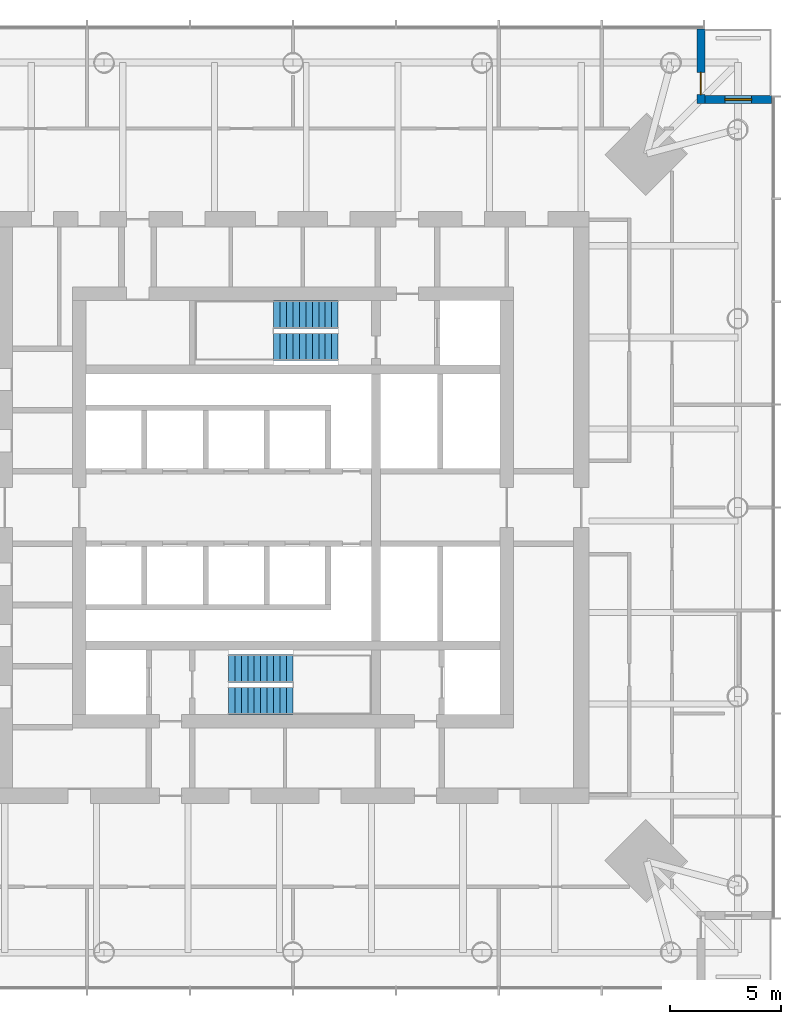
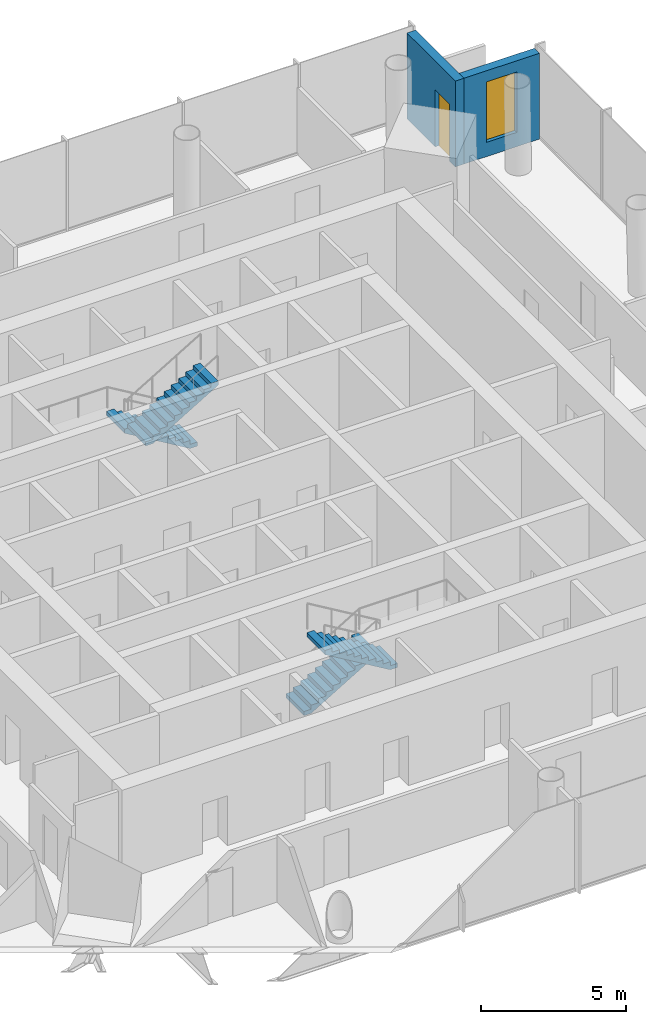
# One storey, part 8 of 9: 4 stair flights, 2 walls, 1 door, 1 window, 2 openings, 2 elements without a shape of their own.
"""IFC4 building model written with IfcOpenShell, lengths in metres."""

from ifc_helpers import new_model, si_unit, direction, frame, frame_2d, origin, place, context, subcontext, project, spatial, polyline, rectangle, outline, extrude, material, layer, layer_set, type_object, element, fill, aggregate, save


model = new_model("IFC4")

# Units and contexts
model_context = context("Model", 3, precision=1e-05, world=origin(), true_north=direction((0.0, 1.0)))
body_context = subcontext(model_context, "Body", "Model", "MODEL_VIEW")
ifc_project = project(units=[si_unit("LENGTHUNIT", "METRE"), si_unit("AREAUNIT", "SQUARE_METRE"), si_unit("VOLUMEUNIT", "CUBIC_METRE"), si_unit("PLANEANGLEUNIT", "RADIAN"), si_unit("MASSUNIT", "GRAM", prefix="KILO")], contexts=[model_context])

# Site, building, storey
site_placement = place(None, origin())
site = spatial("IfcSite", under=ifc_project, at=site_placement, CompositionType="ELEMENT")
building_placement = place(site_placement, origin())
building = spatial("IfcBuilding", under=site, at=building_placement, Name="Ostroluk Exchange", CompositionType="ELEMENT")
storey_placement = place(building_placement, frame((0.0, 0.0, 146.39990234375)))
storey = spatial("IfcBuildingStorey", under=building, at=storey_placement, Name="L37", CompositionType="ELEMENT", Elevation=146.39990234375)

# Wall, opening, door
ifc_material_1 = material(Name="Limestone", Category="masonry")
ifc_layer = layer(ifc_material_1, 0.35009765625)
ifc_layer_set = layer_set([ifc_layer], Name="Limestone facade wall 350")
wall_type = type_object("IfcWallType", Name="Limestone facade wall 350", PredefinedType="SOLIDWALL", material=ifc_layer_set)
wall_1_placement = place(storey_placement, frame((63.324951171875, 67.5, 0.0), z_axis=(0.0, 0.0, 1.0), x_axis=(0.0, -1.0, 0.0)))
wall_1 = element("IfcWall", 1, at=wall_1_placement, inside=storey, type_object=wall_type, Name="Office tower NE corner wall L37 a", PredefinedType="SOLIDWALL", context=body_context, shape_type="SweptSolid", body=[
    extrude(rectangle(XDim=3.35009765625, YDim=0.35009765625, at=frame_2d((1.675048828125, 0.0))), origin(), (0.0, 0.0, 1.0), 3.6201171875),
])
opening_1_placement = place(wall_1_placement, frame((1.949951171875, 0.0, 0.0)))
opening_1 = element("IfcOpeningElement", 2, at=opening_1_placement, cuts=wall_1, Name="Opening D-B1", PredefinedType="OPENING", context=body_context, shape_type="SweptSolid", body=[
    extrude(rectangle(XDim=1.0, YDim=2.39990234375, at=frame_2d((0.5, 1.199951171875))), frame((0.0, 0.18505859375, 0.0), z_axis=(0.0, -1.0, 0.0), x_axis=(1.0, 0.0, 0.0)), (0.0, 0.0, 1.0), 0.3701171875),
])
ifc_material_2 = material(Name="Bronze framed glazed door", Category="aluminium")
door_type = type_object("IfcDoorType", Name="Balcony door 1000 x 2400", OperationType="SINGLE_SWING_LEFT", PredefinedType="DOOR", material=ifc_material_2)
door_placement = place(opening_1_placement, origin())
door = element("IfcDoor", 3, at=door_placement, inside=storey, type_object=door_type, Name="Office tower NE balcony door L37", OperationType="SINGLE_SWING_RIGHT", OverallHeight=2.39990234375, OverallWidth=1.0, PredefinedType="DOOR", context=body_context, shape_type="SweptSolid", body=[
    extrude(rectangle(XDim=1.0, YDim=2.39990234375, at=frame_2d((0.5, 1.199951171875))), frame((0.0, 0.02490234375, 0.0), z_axis=(0.0, -1.0, 0.0), x_axis=(1.0, 0.0, 0.0)), (0.0, 0.0, 1.0), 0.050048828125),
])
fill(opening_1, door)

# Wall, opening, window
wall_2_placement = place(storey_placement, frame((63.5, 64.324951171875, 0.0), z_axis=(0.0, 0.0, 1.0), x_axis=(1.0, 0.0, 0.0)))
wall_2 = element("IfcWall", 4, at=wall_2_placement, inside=storey, type_object=wall_type, Name="Office tower NE corner wall L37 b", PredefinedType="SOLIDWALL", context=body_context, shape_type="SweptSolid", body=[
    extrude(rectangle(XDim=3.0, YDim=0.35009765625, at=frame_2d((1.5, 0.0))), origin(), (0.0, 0.0, 1.0), 3.6201171875),
])
opening_2_placement = place(wall_2_placement, frame((0.89990234375, 0.0, 0.60009765625)))
opening_2 = element("IfcOpeningElement", 5, at=opening_2_placement, cuts=wall_2, Name="Opening WN-L1", PredefinedType="OPENING", context=body_context, shape_type="SweptSolid", body=[
    extrude(rectangle(XDim=1.199951171875, YDim=2.550048828125, at=frame_2d((0.60009765625, 1.27490234375))), frame((0.0, 0.18505859375, 0.0), z_axis=(0.0, -1.0, 0.0), x_axis=(1.0, 0.0, 0.0)), (0.0, 0.0, 1.0), 0.3701171875),
])
ifc_material_3 = material(Name="Laminated clear glass", Category="glass")
window_type = type_object("IfcWindowType", Name="Lancet window 1200 x 2550", PartitioningType="SINGLE_PANEL", PredefinedType="WINDOW", material=ifc_material_3)
window_placement = place(opening_2_placement, origin())
window = element("IfcWindow", 6, at=window_placement, inside=storey, type_object=window_type, Name="Office tower NE lancet window L37", OverallHeight=2.550048828125, OverallWidth=1.199951171875, PartitioningType="SINGLE_PANEL", PredefinedType="WINDOW", context=body_context, shape_type="SweptSolid", body=[
    extrude(rectangle(XDim=1.199951171875, YDim=2.550048828125, at=frame_2d((0.60009765625, 1.27490234375))), frame((0.0, 0.030029296875, 0.0), z_axis=(0.0, -1.0, 0.0), x_axis=(1.0, 0.0, 0.0)), (0.0, 0.0, 1.0), 0.06005859375),
])
fill(opening_2, window)

# Stair, stair flights
ifc_material_4 = material(Name="Concrete C30/37", Category="concrete")
stair_type = type_object("IfcStairType", Name="Exit stair half turn 3800", PredefinedType="HALF_TURN_STAIR", material=ifc_material_4)
stair_1_placement = place(storey_placement, origin())
stair_1 = element("IfcStair", 7, at=stair_1_placement, inside=storey, type_object=stair_type, Name="Stair T1-S1 L37", PredefinedType="HALF_TURN_STAIR")
ifc_material_5 = material(Name="Concrete C30/37", Category="concrete")
stair_flight_type = type_object("IfcStairFlightType", Name="Stair flight 11 risers 172.7 x 290", PredefinedType="STRAIGHT", material=ifc_material_5)
stair_flight_1_placement = place(storey_placement, frame((42.10009765625, 38.77490234375, 0.0), z_axis=(0.0, 0.0, 1.0), x_axis=(1.0, 0.0, 0.0)))
stair_flight_1 = element("IfcStairFlight", 8, at=stair_flight_1_placement, type_object=stair_flight_type, Name="T1-S1 flight 1", NumberOfRisers=11, NumberOfTreads=10, PredefinedType="STRAIGHT", RiserHeight=0.172727273, TreadLength=0.29, context=body_context, shape_type="SweptSolid", body=[
    extrude(outline(polyline([(0.0, 0.0), (0.0, 0.172607421875), (0.2900390625, 0.172607421875), (0.2900390625, 0.345458984375), (0.580078125, 0.345458984375), (0.580078125, 0.51806640625), (0.8701171875, 0.51806640625), (0.8701171875, 0.69091796875), (1.159912109375, 0.69091796875), (1.159912109375, 0.863525390625), (1.449951171875, 0.863525390625), (1.449951171875, 1.036376953125), (1.739990234375, 1.036376953125), (1.739990234375, 1.208984375), (2.030029296875, 1.208984375), (2.030029296875, 1.3818359375), (2.320068359375, 1.3818359375), (2.320068359375, 1.554443359375), (2.610107421875, 1.554443359375), (2.610107421875, 1.727294921875), (2.89990234375, 1.727294921875), (2.89990234375, 1.89990234375), (2.89990234375, 1.552734375), (0.29296875, 0.0), (0.0, 0.0)])), frame((0.0, 0.625, 0.0), z_axis=(0.0, -1.0, 0.0), x_axis=(1.0, 0.0, 0.0)), (0.0, 0.0, 1.0), 1.25),
])
stair_flight_2_placement = place(storey_placement, frame((45.0, 37.324951171875, 1.900146484375), z_axis=(0.0, 0.0, 1.0), x_axis=(-1.0, 0.0, 0.0)))
stair_flight_2 = element("IfcStairFlight", 9, at=stair_flight_2_placement, type_object=stair_flight_type, Name="T1-S1 flight 2", NumberOfRisers=11, NumberOfTreads=10, PredefinedType="STRAIGHT", RiserHeight=0.172727273, TreadLength=0.29, context=body_context, shape_type="SweptSolid", body=[
    extrude(outline(polyline([(0.0, 0.0), (0.0, 0.172607421875), (0.2900390625, 0.172607421875), (0.2900390625, 0.345458984375), (0.580078125, 0.345458984375), (0.580078125, 0.51806640625), (0.8701171875, 0.51806640625), (0.8701171875, 0.69091796875), (1.159912109375, 0.69091796875), (1.159912109375, 0.863525390625), (1.449951171875, 0.863525390625), (1.449951171875, 1.036376953125), (1.739990234375, 1.036376953125), (1.739990234375, 1.208984375), (2.030029296875, 1.208984375), (2.030029296875, 1.3818359375), (2.320068359375, 1.3818359375), (2.320068359375, 1.554443359375), (2.610107421875, 1.554443359375), (2.610107421875, 1.727294921875), (2.89990234375, 1.727294921875), (2.89990234375, 1.89990234375), (2.89990234375, 1.552734375), (0.29296875, 0.0), (0.0, 0.0)])), frame((0.0, 0.625, 0.0), z_axis=(0.0, -1.0, 0.0), x_axis=(1.0, 0.0, 0.0)), (0.0, 0.0, 1.0), 1.25),
])
aggregate(stair_1, [stair_flight_1, stair_flight_2])

stair_2_placement = place(storey_placement, origin())
stair_2 = element("IfcStair", 10, at=stair_2_placement, inside=storey, type_object=stair_type, Name="Stair T1-S2 L37", PredefinedType="HALF_TURN_STAIR")
stair_flight_3_placement = place(storey_placement, frame((47.030029296875, 54.675048828125, 0.0), z_axis=(0.0, 0.0, 1.0), x_axis=(-1.0, 0.0, 0.0)))
stair_flight_3 = element("IfcStairFlight", 11, at=stair_flight_3_placement, type_object=stair_flight_type, Name="T1-S2 flight 1", NumberOfRisers=11, NumberOfTreads=10, PredefinedType="STRAIGHT", RiserHeight=0.172727273, TreadLength=0.29, context=body_context, shape_type="SweptSolid", body=[
    extrude(outline(polyline([(0.0, 0.0), (0.0, 0.172607421875), (0.2900390625, 0.172607421875), (0.2900390625, 0.345458984375), (0.580078125, 0.345458984375), (0.580078125, 0.51806640625), (0.8701171875, 0.51806640625), (0.8701171875, 0.69091796875), (1.159912109375, 0.69091796875), (1.159912109375, 0.863525390625), (1.449951171875, 0.863525390625), (1.449951171875, 1.036376953125), (1.739990234375, 1.036376953125), (1.739990234375, 1.208984375), (2.030029296875, 1.208984375), (2.030029296875, 1.3818359375), (2.320068359375, 1.3818359375), (2.320068359375, 1.554443359375), (2.610107421875, 1.554443359375), (2.610107421875, 1.727294921875), (2.89990234375, 1.727294921875), (2.89990234375, 1.89990234375), (2.89990234375, 1.552734375), (0.29296875, 0.0), (0.0, 0.0)])), frame((0.0, 0.625, 0.0), z_axis=(0.0, -1.0, 0.0), x_axis=(1.0, 0.0, 0.0)), (0.0, 0.0, 1.0), 1.25),
])
stair_flight_4_placement = place(storey_placement, frame((44.1298828125, 53.22509765625, 1.900146484375), z_axis=(0.0, 0.0, 1.0), x_axis=(1.0, 0.0, 0.0)))
stair_flight_4 = element("IfcStairFlight", 12, at=stair_flight_4_placement, type_object=stair_flight_type, Name="T1-S2 flight 2", NumberOfRisers=11, NumberOfTreads=10, PredefinedType="STRAIGHT", RiserHeight=0.172727273, TreadLength=0.29, context=body_context, shape_type="SweptSolid", body=[
    extrude(outline(polyline([(0.0, 0.0), (0.0, 0.172607421875), (0.2900390625, 0.172607421875), (0.2900390625, 0.345458984375), (0.580078125, 0.345458984375), (0.580078125, 0.51806640625), (0.8701171875, 0.51806640625), (0.8701171875, 0.69091796875), (1.159912109375, 0.69091796875), (1.159912109375, 0.863525390625), (1.449951171875, 0.863525390625), (1.449951171875, 1.036376953125), (1.739990234375, 1.036376953125), (1.739990234375, 1.208984375), (2.030029296875, 1.208984375), (2.030029296875, 1.3818359375), (2.320068359375, 1.3818359375), (2.320068359375, 1.554443359375), (2.610107421875, 1.554443359375), (2.610107421875, 1.727294921875), (2.89990234375, 1.727294921875), (2.89990234375, 1.89990234375), (2.89990234375, 1.552734375), (0.29296875, 0.0), (0.0, 0.0)])), frame((0.0, 0.625, 0.0), z_axis=(0.0, -1.0, 0.0), x_axis=(1.0, 0.0, 0.0)), (0.0, 0.0, 1.0), 1.25),
])
aggregate(stair_2, [stair_flight_3, stair_flight_4])

save(model, "model.ifc")
